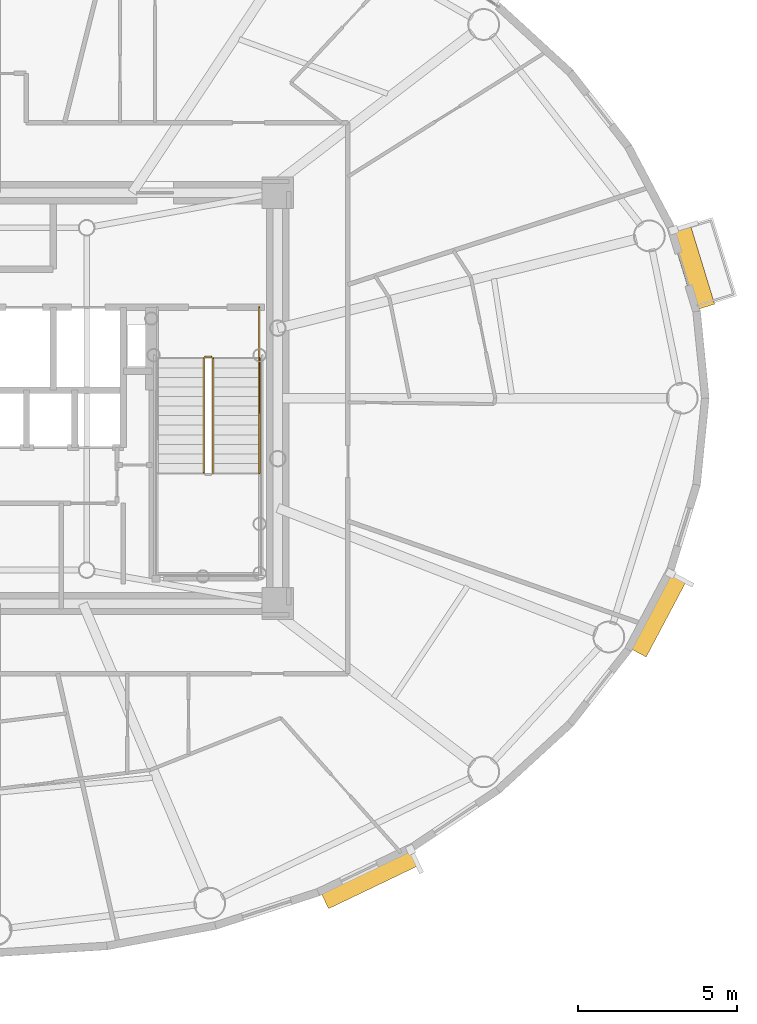
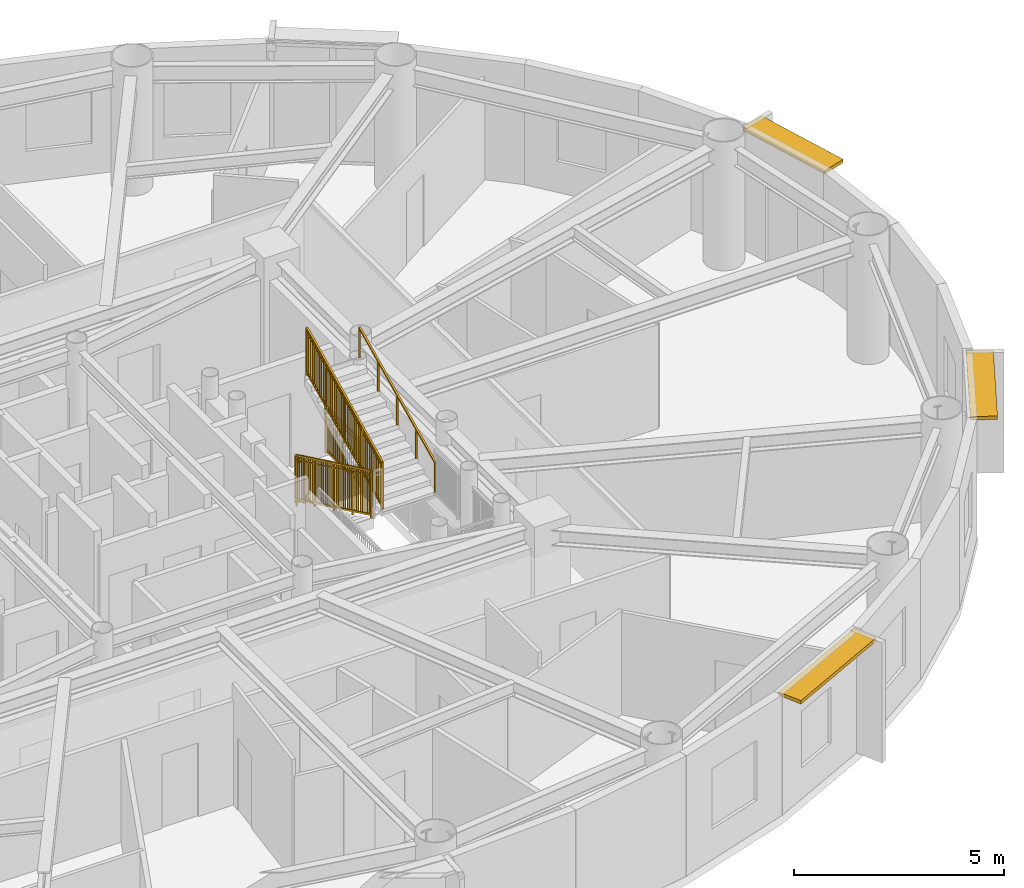
# One storey, part 16 of 17: 5 railings, 3 shading devices.
"""IFC4 building model written with IfcOpenShell, lengths in metres."""

from ifc_helpers import new_model, si_unit, direction, frame, origin, origin_2d, place, context, subcontext, project, spatial, rectangle, extrude, source, transform, mapped, material, layer, layer_set, type_object, element, save


model = new_model("IFC4")

# Units and contexts
model_context = context("Model", 3, precision=1e-05, world=origin(), true_north=direction((0.0, 1.0)))
body_context = subcontext(model_context, "Body", "Model", "MODEL_VIEW")
ifc_project = project(units=[si_unit("LENGTHUNIT", "METRE"), si_unit("AREAUNIT", "SQUARE_METRE"), si_unit("VOLUMEUNIT", "CUBIC_METRE"), si_unit("PLANEANGLEUNIT", "RADIAN"), si_unit("MASSUNIT", "GRAM", prefix="KILO")], contexts=[model_context])

# Site, building, storey
site_placement = place(None, origin())
site = spatial("IfcSite", under=ifc_project, at=site_placement, CompositionType="ELEMENT")
building_placement = place(site_placement, origin())
building = spatial("IfcBuilding", under=site, at=building_placement, Name="Linh Dai School and Residence Tower", CompositionType="ELEMENT")
storey_placement = place(building_placement, frame((0.0, 0.0, 303.0)))
storey = spatial("IfcBuildingStorey", under=building, at=storey_placement, Name="L75", CompositionType="ELEMENT", Elevation=303.0)

# Shading devices
ifc_material_1 = material(Name="Terracotta Ceramic Sunshade", Category="masonry")
ifc_layer = layer(ifc_material_1, 0.10009765625)
ifc_layer_set = layer_set([ifc_layer], Name="Terracotta Ceramic Sunshade")
shading_device_type = type_object("IfcShadingDeviceType", Name="SHD-TC-650", PredefinedType="USERDEFINED", material=ifc_layer_set)
shared_shape_1 = source(origin(), body_context, "Body", "SweptSolid", [
    extrude(rectangle(XDim=2.6640625, YDim=0.64990234375, at=origin_2d()), origin(), (0.0, 0.0, 1.0), 0.10009765625),
])
shading_device_1_placement = place(storey_placement, frame((57.867431640625, 31.129150390625, 3.3798828125), z_axis=(0.0, 0.0, 1.0), x_axis=(0.293140945944, -0.956069236934, 0.0)))
element("IfcShadingDevice", 1, at=shading_device_1_placement, inside=storey, type_object=shading_device_type, Name="L75 Terracotta Horizontal Sunshade Band 02", ObjectType="SUNSHADE", PredefinedType="USERDEFINED", context=body_context, shape_type="MappedRepresentation", body=[
    mapped(shared_shape_1, transform((0.0, 0.0, 0.0), x_axis=(1.0, 0.0, 0.0), y_axis=(0.0, 1.0, 0.0), z_axis=(0.0, 0.0, 1.0), scale=1.0)),
])
shared_shape_2 = source(origin(), body_context, "Body", "SweptSolid", [
    extrude(rectangle(XDim=3.1748046875, YDim=0.64990234375, at=origin_2d()), origin(), (0.0, 0.0, 1.0), 0.10009765625),
])
shading_device_2_placement = place(storey_placement, frame((47.737060546875, 11.9462890625, 3.3798828125), z_axis=(0.0, 0.0, 1.0), x_axis=(-0.901580240323, -0.432611916456, 0.0)))
element("IfcShadingDevice", 2, at=shading_device_2_placement, inside=storey, type_object=shading_device_type, Name="L75 Terracotta Horizontal Sunshade Band 34", ObjectType="SUNSHADE", PredefinedType="USERDEFINED", context=body_context, shape_type="MappedRepresentation", body=[
    mapped(shared_shape_2, transform((0.0, 0.0, 0.0), x_axis=(1.0, 0.0, 0.0), y_axis=(0.0, 1.0, 0.0), z_axis=(0.0, 0.0, 1.0), scale=1.0)),
])
shared_shape_3 = source(origin(), body_context, "Body", "SweptSolid", [
    extrude(rectangle(XDim=2.739501953125, YDim=0.64990234375, at=origin_2d()), origin(), (0.0, 0.0, 1.0), 0.10009765625),
])
shading_device_3_placement = place(storey_placement, frame((56.77294921875, 20.233154296875, 3.3798828125), z_axis=(0.0, 0.0, 1.0), x_axis=(-0.467603531201, -0.883938310975, 0.0)))
element("IfcShadingDevice", 3, at=shading_device_3_placement, inside=storey, type_object=shading_device_type, Name="L75 Terracotta Horizontal Sunshade Band 38", ObjectType="SUNSHADE", PredefinedType="USERDEFINED", context=body_context, shape_type="MappedRepresentation", body=[
    mapped(shared_shape_3, transform((0.0, 0.0, 0.0), x_axis=(1.0, 0.0, 0.0), y_axis=(0.0, 1.0, 0.0), z_axis=(0.0, 0.0, 1.0), scale=1.0)),
])

# Railings
ifc_material_2 = material(Name="Structural Steel S355JR", Category="steel")
railing_type_1 = type_object("IfcRailingType", Name="RL-ST-GUARD-1400", PredefinedType="GUARDRAIL", material=ifc_material_2)
shared_shape_4 = source(origin(), body_context, "Body", "SweptSolid", [
    extrude(rectangle(XDim=0.048095703125, YDim=0.048095703125, at=origin_2d()), frame((0.0, 0.0, 1.3759765625), z_axis=(0.0, 0.901262522062, 0.433273431364), x_axis=(-1.0, 0.0, 0.0)), (0.0, 0.0, 1.0), 3.994384765625),
    extrude(rectangle(XDim=0.048095703125, YDim=0.048095703125, at=origin_2d()), frame((0.0, 0.0, 0.10009765625), z_axis=(0.0, 0.901262522062, 0.433273431364), x_axis=(-1.0, 0.0, 0.0)), (0.0, 0.0, 1.0), 3.994384765625),
    extrude(rectangle(XDim=0.030029296875, YDim=0.030029296875, at=origin_2d()), frame((0.0, 0.0, 1.239990234375), z_axis=(0.0, 0.901262522062, 0.433273431364), x_axis=(-1.0, 0.0, 0.0)), (0.0, 0.0, 1.0), 3.994384765625),
    extrude(rectangle(XDim=0.02001953125, YDim=0.02001953125, at=origin_2d()), frame((0.0, 0.087890625, 0.142333984375)), (0.0, 0.0, 1.0), 1.251708984375),
    extrude(rectangle(XDim=0.02001953125, YDim=0.02001953125, at=origin_2d()), frame((0.0, 0.175537109375, 0.1845703125)), (0.0, 0.0, 1.0), 1.251708984375),
    extrude(rectangle(XDim=0.02001953125, YDim=0.02001953125, at=origin_2d()), frame((0.0, 0.263427734375, 0.226806640625)), (0.0, 0.0, 1.0), 1.251708984375),
    extrude(rectangle(XDim=0.02001953125, YDim=0.02001953125, at=origin_2d()), frame((0.0, 0.351318359375, 0.26904296875)), (0.0, 0.0, 1.0), 1.251708984375),
    extrude(rectangle(XDim=0.02001953125, YDim=0.02001953125, at=origin_2d()), frame((0.0, 0.43896484375, 0.311279296875)), (0.0, 0.0, 1.0), 1.251708984375),
    extrude(rectangle(XDim=0.02001953125, YDim=0.02001953125, at=origin_2d()), frame((0.0, 0.52685546875, 0.353271484375)), (0.0, 0.0, 1.0), 1.251708984375),
    extrude(rectangle(XDim=0.02001953125, YDim=0.02001953125, at=origin_2d()), frame((0.0, 0.61474609375, 0.3955078125)), (0.0, 0.0, 1.0), 1.251708984375),
    extrude(rectangle(XDim=0.02001953125, YDim=0.02001953125, at=origin_2d()), frame((0.0, 0.702392578125, 0.437744140625)), (0.0, 0.0, 1.0), 1.251708984375),
    extrude(rectangle(XDim=0.02001953125, YDim=0.02001953125, at=origin_2d()), frame((0.0, 0.790283203125, 0.47998046875)), (0.0, 0.0, 1.0), 1.251708984375),
    extrude(rectangle(XDim=0.02001953125, YDim=0.02001953125, at=origin_2d()), frame((0.0, 0.9658203125, 0.564453125)), (0.0, 0.0, 1.0), 1.251708984375),
    extrude(rectangle(XDim=0.02001953125, YDim=0.02001953125, at=origin_2d()), frame((0.0, 1.0537109375, 0.606689453125)), (0.0, 0.0, 1.0), 1.251708984375),
    extrude(rectangle(XDim=0.02001953125, YDim=0.02001953125, at=origin_2d()), frame((0.0, 1.1416015625, 0.64892578125)), (0.0, 0.0, 1.0), 1.251708984375),
    extrude(rectangle(XDim=0.02001953125, YDim=0.02001953125, at=origin_2d()), frame((0.0, 1.229248046875, 0.691162109375)), (0.0, 0.0, 1.0), 1.251708984375),
    extrude(rectangle(XDim=0.02001953125, YDim=0.02001953125, at=origin_2d()), frame((0.0, 1.317138671875, 0.7333984375)), (0.0, 0.0, 1.0), 1.251708984375),
    extrude(rectangle(XDim=0.02001953125, YDim=0.02001953125, at=origin_2d()), frame((0.0, 1.405029296875, 0.775390625)), (0.0, 0.0, 1.0), 1.251708984375),
    extrude(rectangle(XDim=0.02001953125, YDim=0.02001953125, at=origin_2d()), frame((0.0, 1.49267578125, 0.817626953125)), (0.0, 0.0, 1.0), 1.251708984375),
    extrude(rectangle(XDim=0.02001953125, YDim=0.02001953125, at=origin_2d()), frame((0.0, 1.58056640625, 0.85986328125)), (0.0, 0.0, 1.0), 1.251708984375),
    extrude(rectangle(XDim=0.02001953125, YDim=0.02001953125, at=origin_2d()), frame((0.0, 1.66845703125, 0.902099609375)), (0.0, 0.0, 1.0), 1.251708984375),
    extrude(rectangle(XDim=0.02001953125, YDim=0.02001953125, at=origin_2d()), frame((0.0, 1.756103515625, 0.9443359375)), (0.0, 0.0, 1.0), 1.251708984375),
    extrude(rectangle(XDim=0.02001953125, YDim=0.02001953125, at=origin_2d()), frame((0.0, 1.843994140625, 0.986572265625)), (0.0, 0.0, 1.0), 1.251708984375),
    extrude(rectangle(XDim=0.02001953125, YDim=0.02001953125, at=origin_2d()), frame((0.0, 1.931640625, 1.02880859375)), (0.0, 0.0, 1.0), 1.251708984375),
    extrude(rectangle(XDim=0.02001953125, YDim=0.02001953125, at=origin_2d()), frame((0.0, 2.01953125, 1.071044921875)), (0.0, 0.0, 1.0), 1.251708984375),
    extrude(rectangle(XDim=0.02001953125, YDim=0.02001953125, at=origin_2d()), frame((0.0, 2.107421875, 1.11328125)), (0.0, 0.0, 1.0), 1.251708984375),
    extrude(rectangle(XDim=0.02001953125, YDim=0.02001953125, at=origin_2d()), frame((0.0, 2.195068359375, 1.155517578125)), (0.0, 0.0, 1.0), 1.251708984375),
    extrude(rectangle(XDim=0.02001953125, YDim=0.02001953125, at=origin_2d()), frame((0.0, 2.282958984375, 1.197509765625)), (0.0, 0.0, 1.0), 1.251708984375),
    extrude(rectangle(XDim=0.02001953125, YDim=0.02001953125, at=origin_2d()), frame((0.0, 2.370849609375, 1.23974609375)), (0.0, 0.0, 1.0), 1.251708984375),
    extrude(rectangle(XDim=0.02001953125, YDim=0.02001953125, at=origin_2d()), frame((0.0, 2.45849609375, 1.281982421875)), (0.0, 0.0, 1.0), 1.251708984375),
    extrude(rectangle(XDim=0.02001953125, YDim=0.02001953125, at=origin_2d()), frame((0.0, 2.54638671875, 1.32421875)), (0.0, 0.0, 1.0), 1.251708984375),
    extrude(rectangle(XDim=0.02001953125, YDim=0.02001953125, at=origin_2d()), frame((0.0, 2.63427734375, 1.366455078125)), (0.0, 0.0, 1.0), 1.251708984375),
    extrude(rectangle(XDim=0.02001953125, YDim=0.02001953125, at=origin_2d()), frame((0.0, 2.809814453125, 1.450927734375)), (0.0, 0.0, 1.0), 1.251708984375),
    extrude(rectangle(XDim=0.02001953125, YDim=0.02001953125, at=origin_2d()), frame((0.0, 2.897705078125, 1.4931640625)), (0.0, 0.0, 1.0), 1.251708984375),
    extrude(rectangle(XDim=0.02001953125, YDim=0.02001953125, at=origin_2d()), frame((0.0, 2.9853515625, 1.535400390625)), (0.0, 0.0, 1.0), 1.251708984375),
    extrude(rectangle(XDim=0.02001953125, YDim=0.02001953125, at=origin_2d()), frame((0.0, 3.0732421875, 1.57763671875)), (0.0, 0.0, 1.0), 1.251708984375),
    extrude(rectangle(XDim=0.02001953125, YDim=0.02001953125, at=origin_2d()), frame((0.0, 3.1611328125, 1.61962890625)), (0.0, 0.0, 1.0), 1.251708984375),
    extrude(rectangle(XDim=0.02001953125, YDim=0.02001953125, at=origin_2d()), frame((0.0, 3.248779296875, 1.661865234375)), (0.0, 0.0, 1.0), 1.251708984375),
    extrude(rectangle(XDim=0.02001953125, YDim=0.02001953125, at=origin_2d()), frame((0.0, 3.336669921875, 1.7041015625)), (0.0, 0.0, 1.0), 1.251708984375),
    extrude(rectangle(XDim=0.02001953125, YDim=0.02001953125, at=origin_2d()), frame((0.0, 3.424560546875, 1.746337890625)), (0.0, 0.0, 1.0), 1.251708984375),
    extrude(rectangle(XDim=0.02001953125, YDim=0.02001953125, at=origin_2d()), frame((0.0, 3.51220703125, 1.78857421875)), (0.0, 0.0, 1.0), 1.251708984375),
    extrude(rectangle(XDim=0.0419921875, YDim=0.0419921875, at=origin_2d()), origin(), (0.0, 0.0, 1.0), 1.3759765625),
    extrude(rectangle(XDim=0.0419921875, YDim=0.0419921875, at=origin_2d()), frame((0.0, 0.89990234375, 0.4326171875)), (0.0, 0.0, 1.0), 1.3759765625),
    extrude(rectangle(XDim=0.0419921875, YDim=0.0419921875, at=origin_2d()), frame((0.0, 1.800048828125, 0.865234375)), (0.0, 0.0, 1.0), 1.3759765625),
    extrude(rectangle(XDim=0.0419921875, YDim=0.0419921875, at=origin_2d()), frame((0.0, 2.7001953125, 1.298095703125)), (0.0, 0.0, 1.0), 1.3759765625),
    extrude(rectangle(XDim=0.0419921875, YDim=0.0419921875, at=origin_2d()), frame((0.0, 3.60009765625, 1.730712890625)), (0.0, 0.0, 1.0), 1.3759765625),
])
railing_1_placement = place(storey_placement, frame((42.820068359375, 24.64990234375, 2.019287109375)))
element("IfcRailing", 4, at=railing_1_placement, inside=storey, type_object=railing_type_1, Name="L75 ST2 stair guard 6", PredefinedType="GUARDRAIL", context=body_context, shape_type="MappedRepresentation", body=[
    mapped(shared_shape_4, transform((0.0, 0.0, 0.0), x_axis=(1.0, 0.0, 0.0), y_axis=(0.0, 1.0, 0.0), z_axis=(0.0, 0.0, 1.0), scale=1.0)),
])
shared_shape_5 = source(origin(), body_context, "Body", "SweptSolid", [
    extrude(rectangle(XDim=0.048095703125, YDim=0.048095703125, at=origin_2d()), frame((0.0, 0.0, 1.3759765625), z_axis=(0.0, -0.901262522062, 0.433273431364), x_axis=(1.0, 0.0, 0.0)), (0.0, 0.0, 1.0), 3.994384765625),
    extrude(rectangle(XDim=0.048095703125, YDim=0.048095703125, at=origin_2d()), frame((0.0, 0.0, 0.10009765625), z_axis=(0.0, -0.901262522062, 0.433273431364), x_axis=(1.0, 0.0, 0.0)), (0.0, 0.0, 1.0), 3.994384765625),
    extrude(rectangle(XDim=0.030029296875, YDim=0.030029296875, at=origin_2d()), frame((0.0, 0.0, 1.239990234375), z_axis=(0.0, -0.901262522062, 0.433273431364), x_axis=(1.0, 0.0, 0.0)), (0.0, 0.0, 1.0), 3.994384765625),
    extrude(rectangle(XDim=0.02001953125, YDim=0.02001953125, at=origin_2d()), frame((0.0, -0.087890625, 0.142333984375)), (0.0, 0.0, 1.0), 1.251708984375),
    extrude(rectangle(XDim=0.02001953125, YDim=0.02001953125, at=origin_2d()), frame((0.0, -0.175537109375, 0.1845703125)), (0.0, 0.0, 1.0), 1.251708984375),
    extrude(rectangle(XDim=0.02001953125, YDim=0.02001953125, at=origin_2d()), frame((0.0, -0.263427734375, 0.226806640625)), (0.0, 0.0, 1.0), 1.251708984375),
    extrude(rectangle(XDim=0.02001953125, YDim=0.02001953125, at=origin_2d()), frame((0.0, -0.351318359375, 0.26904296875)), (0.0, 0.0, 1.0), 1.251708984375),
    extrude(rectangle(XDim=0.02001953125, YDim=0.02001953125, at=origin_2d()), frame((0.0, -0.43896484375, 0.311279296875)), (0.0, 0.0, 1.0), 1.251708984375),
    extrude(rectangle(XDim=0.02001953125, YDim=0.02001953125, at=origin_2d()), frame((0.0, -0.52685546875, 0.353271484375)), (0.0, 0.0, 1.0), 1.251708984375),
    extrude(rectangle(XDim=0.02001953125, YDim=0.02001953125, at=origin_2d()), frame((0.0, -0.61474609375, 0.3955078125)), (0.0, 0.0, 1.0), 1.251708984375),
    extrude(rectangle(XDim=0.02001953125, YDim=0.02001953125, at=origin_2d()), frame((0.0, -0.702392578125, 0.437744140625)), (0.0, 0.0, 1.0), 1.251708984375),
    extrude(rectangle(XDim=0.02001953125, YDim=0.02001953125, at=origin_2d()), frame((0.0, -0.790283203125, 0.47998046875)), (0.0, 0.0, 1.0), 1.251708984375),
    extrude(rectangle(XDim=0.02001953125, YDim=0.02001953125, at=origin_2d()), frame((0.0, -0.9658203125, 0.564453125)), (0.0, 0.0, 1.0), 1.251708984375),
    extrude(rectangle(XDim=0.02001953125, YDim=0.02001953125, at=origin_2d()), frame((0.0, -1.0537109375, 0.606689453125)), (0.0, 0.0, 1.0), 1.251708984375),
    extrude(rectangle(XDim=0.02001953125, YDim=0.02001953125, at=origin_2d()), frame((0.0, -1.1416015625, 0.64892578125)), (0.0, 0.0, 1.0), 1.251708984375),
    extrude(rectangle(XDim=0.02001953125, YDim=0.02001953125, at=origin_2d()), frame((0.0, -1.229248046875, 0.691162109375)), (0.0, 0.0, 1.0), 1.251708984375),
    extrude(rectangle(XDim=0.02001953125, YDim=0.02001953125, at=origin_2d()), frame((0.0, -1.317138671875, 0.7333984375)), (0.0, 0.0, 1.0), 1.251708984375),
    extrude(rectangle(XDim=0.02001953125, YDim=0.02001953125, at=origin_2d()), frame((0.0, -1.405029296875, 0.775390625)), (0.0, 0.0, 1.0), 1.251708984375),
    extrude(rectangle(XDim=0.02001953125, YDim=0.02001953125, at=origin_2d()), frame((0.0, -1.49267578125, 0.817626953125)), (0.0, 0.0, 1.0), 1.251708984375),
    extrude(rectangle(XDim=0.02001953125, YDim=0.02001953125, at=origin_2d()), frame((0.0, -1.58056640625, 0.85986328125)), (0.0, 0.0, 1.0), 1.251708984375),
    extrude(rectangle(XDim=0.02001953125, YDim=0.02001953125, at=origin_2d()), frame((0.0, -1.66845703125, 0.902099609375)), (0.0, 0.0, 1.0), 1.251708984375),
    extrude(rectangle(XDim=0.02001953125, YDim=0.02001953125, at=origin_2d()), frame((0.0, -1.756103515625, 0.9443359375)), (0.0, 0.0, 1.0), 1.251708984375),
    extrude(rectangle(XDim=0.02001953125, YDim=0.02001953125, at=origin_2d()), frame((0.0, -1.843994140625, 0.986572265625)), (0.0, 0.0, 1.0), 1.251708984375),
    extrude(rectangle(XDim=0.02001953125, YDim=0.02001953125, at=origin_2d()), frame((0.0, -1.931640625, 1.02880859375)), (0.0, 0.0, 1.0), 1.251708984375),
    extrude(rectangle(XDim=0.02001953125, YDim=0.02001953125, at=origin_2d()), frame((0.0, -2.01953125, 1.071044921875)), (0.0, 0.0, 1.0), 1.251708984375),
    extrude(rectangle(XDim=0.02001953125, YDim=0.02001953125, at=origin_2d()), frame((0.0, -2.107421875, 1.11328125)), (0.0, 0.0, 1.0), 1.251708984375),
    extrude(rectangle(XDim=0.02001953125, YDim=0.02001953125, at=origin_2d()), frame((0.0, -2.195068359375, 1.155517578125)), (0.0, 0.0, 1.0), 1.251708984375),
    extrude(rectangle(XDim=0.02001953125, YDim=0.02001953125, at=origin_2d()), frame((0.0, -2.282958984375, 1.197509765625)), (0.0, 0.0, 1.0), 1.251708984375),
    extrude(rectangle(XDim=0.02001953125, YDim=0.02001953125, at=origin_2d()), frame((0.0, -2.370849609375, 1.23974609375)), (0.0, 0.0, 1.0), 1.251708984375),
    extrude(rectangle(XDim=0.02001953125, YDim=0.02001953125, at=origin_2d()), frame((0.0, -2.45849609375, 1.281982421875)), (0.0, 0.0, 1.0), 1.251708984375),
    extrude(rectangle(XDim=0.02001953125, YDim=0.02001953125, at=origin_2d()), frame((0.0, -2.54638671875, 1.32421875)), (0.0, 0.0, 1.0), 1.251708984375),
    extrude(rectangle(XDim=0.02001953125, YDim=0.02001953125, at=origin_2d()), frame((0.0, -2.63427734375, 1.366455078125)), (0.0, 0.0, 1.0), 1.251708984375),
    extrude(rectangle(XDim=0.02001953125, YDim=0.02001953125, at=origin_2d()), frame((0.0, -2.809814453125, 1.450927734375)), (0.0, 0.0, 1.0), 1.251708984375),
    extrude(rectangle(XDim=0.02001953125, YDim=0.02001953125, at=origin_2d()), frame((0.0, -2.897705078125, 1.4931640625)), (0.0, 0.0, 1.0), 1.251708984375),
    extrude(rectangle(XDim=0.02001953125, YDim=0.02001953125, at=origin_2d()), frame((0.0, -2.9853515625, 1.535400390625)), (0.0, 0.0, 1.0), 1.251708984375),
    extrude(rectangle(XDim=0.02001953125, YDim=0.02001953125, at=origin_2d()), frame((0.0, -3.0732421875, 1.57763671875)), (0.0, 0.0, 1.0), 1.251708984375),
    extrude(rectangle(XDim=0.02001953125, YDim=0.02001953125, at=origin_2d()), frame((0.0, -3.1611328125, 1.61962890625)), (0.0, 0.0, 1.0), 1.251708984375),
    extrude(rectangle(XDim=0.02001953125, YDim=0.02001953125, at=origin_2d()), frame((0.0, -3.248779296875, 1.661865234375)), (0.0, 0.0, 1.0), 1.251708984375),
    extrude(rectangle(XDim=0.02001953125, YDim=0.02001953125, at=origin_2d()), frame((0.0, -3.336669921875, 1.7041015625)), (0.0, 0.0, 1.0), 1.251708984375),
    extrude(rectangle(XDim=0.02001953125, YDim=0.02001953125, at=origin_2d()), frame((0.0, -3.424560546875, 1.746337890625)), (0.0, 0.0, 1.0), 1.251708984375),
    extrude(rectangle(XDim=0.02001953125, YDim=0.02001953125, at=origin_2d()), frame((0.0, -3.51220703125, 1.78857421875)), (0.0, 0.0, 1.0), 1.251708984375),
    extrude(rectangle(XDim=0.0419921875, YDim=0.0419921875, at=origin_2d()), origin(), (0.0, 0.0, 1.0), 1.3759765625),
    extrude(rectangle(XDim=0.0419921875, YDim=0.0419921875, at=origin_2d()), frame((0.0, -0.89990234375, 0.4326171875)), (0.0, 0.0, 1.0), 1.3759765625),
    extrude(rectangle(XDim=0.0419921875, YDim=0.0419921875, at=origin_2d()), frame((0.0, -1.800048828125, 0.865234375)), (0.0, 0.0, 1.0), 1.3759765625),
    extrude(rectangle(XDim=0.0419921875, YDim=0.0419921875, at=origin_2d()), frame((0.0, -2.7001953125, 1.298095703125)), (0.0, 0.0, 1.0), 1.3759765625),
    extrude(rectangle(XDim=0.0419921875, YDim=0.0419921875, at=origin_2d()), frame((0.0, -3.60009765625, 1.730712890625)), (0.0, 0.0, 1.0), 1.3759765625),
])
railing_2_placement = place(storey_placement, frame((42.52001953125, 28.25, 0.144287109375)))
element("IfcRailing", 5, at=railing_2_placement, inside=storey, type_object=railing_type_1, Name="L75 ST2 stair guard 1", PredefinedType="GUARDRAIL", context=body_context, shape_type="MappedRepresentation", body=[
    mapped(shared_shape_5, transform((0.0, 0.0, 0.0), x_axis=(1.0, 0.0, 0.0), y_axis=(0.0, 1.0, 0.0), z_axis=(0.0, 0.0, 1.0), scale=1.0)),
])
ifc_material_3 = material(Name="Brushed Stainless Steel Handrail", Category="steel")
railing_type_2 = type_object("IfcRailingType", Name="RL-ST-HANDRAIL-900", PredefinedType="HANDRAIL", material=ifc_material_3)
shared_shape_6 = source(origin(), body_context, "Body", "SweptSolid", [
    extrude(rectangle(XDim=0.048095703125, YDim=0.048095703125, at=origin_2d()), frame((0.0, 0.0, 0.8759765625), z_axis=(0.0, 0.901262522062, 0.433273431364), x_axis=(-1.0, 0.0, 0.0)), (0.0, 0.0, 1.0), 3.994384765625),
    extrude(rectangle(XDim=0.0419921875, YDim=0.0419921875, at=origin_2d()), origin(), (0.0, 0.0, 1.0), 0.8759765625),
    extrude(rectangle(XDim=0.0419921875, YDim=0.0419921875, at=origin_2d()), frame((0.0, 0.89990234375, 0.4326171875)), (0.0, 0.0, 1.0), 0.8759765625),
    extrude(rectangle(XDim=0.0419921875, YDim=0.0419921875, at=origin_2d()), frame((0.0, 1.800048828125, 0.865234375)), (0.0, 0.0, 1.0), 0.8759765625),
    extrude(rectangle(XDim=0.0419921875, YDim=0.0419921875, at=origin_2d()), frame((0.0, 2.7001953125, 1.298095703125)), (0.0, 0.0, 1.0), 0.8759765625),
    extrude(rectangle(XDim=0.0419921875, YDim=0.0419921875, at=origin_2d()), frame((0.0, 3.60009765625, 1.730712890625)), (0.0, 0.0, 1.0), 0.8759765625),
])
railing_3_placement = place(storey_placement, frame((44.27001953125, 24.64990234375, 2.019287109375)))
element("IfcRailing", 6, at=railing_3_placement, inside=storey, type_object=railing_type_2, Name="L75 ST2 stair handrail 2", PredefinedType="HANDRAIL", context=body_context, shape_type="MappedRepresentation", body=[
    mapped(shared_shape_6, transform((0.0, 0.0, 0.0), x_axis=(1.0, 0.0, 0.0), y_axis=(0.0, 1.0, 0.0), z_axis=(0.0, 0.0, 1.0), scale=1.0)),
])
shared_shape_7 = source(origin(), body_context, "Body", "SweptSolid", [
    extrude(rectangle(XDim=0.048095703125, YDim=0.048095703125, at=origin_2d()), frame((0.0, 0.0, 1.3759765625), z_axis=(1.0, 0.0, 0.0), x_axis=(0.0, 1.0, 0.0)), (0.0, 0.0, 1.0), 0.199951171875),
    extrude(rectangle(XDim=0.048095703125, YDim=0.048095703125, at=origin_2d()), frame((0.0, 0.0, 0.10009765625), z_axis=(1.0, 0.0, 0.0), x_axis=(0.0, 1.0, 0.0)), (0.0, 0.0, 1.0), 0.199951171875),
    extrude(rectangle(XDim=0.030029296875, YDim=0.030029296875, at=origin_2d()), frame((0.0, 0.0, 1.239990234375), z_axis=(1.0, 0.0, 0.0), x_axis=(0.0, 1.0, 0.0)), (0.0, 0.0, 1.0), 0.199951171875),
    extrude(rectangle(XDim=0.0419921875, YDim=0.0419921875, at=origin_2d()), origin(), (0.0, 0.0, 1.0), 1.3759765625),
    extrude(rectangle(XDim=0.0419921875, YDim=0.0419921875, at=origin_2d()), frame((0.199951171875, 0.0, 0.0)), (0.0, 0.0, 1.0), 1.3759765625),
])
railing_4_placement = place(storey_placement, frame((42.570068359375, 28.300048828125, 0.0)))
element("IfcRailing", 7, at=railing_4_placement, inside=storey, type_object=railing_type_1, Name="L75 ST2 stair guard 7", PredefinedType="GUARDRAIL", context=body_context, shape_type="MappedRepresentation", body=[
    mapped(shared_shape_7, transform((0.0, 0.0, 0.0), x_axis=(1.0, 0.0, 0.0), y_axis=(0.0, 1.0, 0.0), z_axis=(0.0, 0.0, 1.0), scale=1.0)),
])
shared_shape_8 = source(origin(), body_context, "Body", "SweptSolid", [
    extrude(rectangle(XDim=0.048095703125, YDim=0.048095703125, at=origin_2d()), frame((0.0, 0.0, 1.3759765625), z_axis=(0.0, -1.0, 0.0), x_axis=(1.0, 0.0, 0.0)), (0.0, 0.0, 1.0), 1.60009765625),
    extrude(rectangle(XDim=0.048095703125, YDim=0.048095703125, at=origin_2d()), frame((0.0, 0.0, 0.10009765625), z_axis=(0.0, -1.0, 0.0), x_axis=(1.0, 0.0, 0.0)), (0.0, 0.0, 1.0), 1.60009765625),
    extrude(rectangle(XDim=0.030029296875, YDim=0.030029296875, at=origin_2d()), frame((0.0, 0.0, 1.239990234375), z_axis=(0.0, -1.0, 0.0), x_axis=(1.0, 0.0, 0.0)), (0.0, 0.0, 1.0), 1.60009765625),
    extrude(rectangle(XDim=0.02001953125, YDim=0.02001953125, at=origin_2d()), frame((0.0, -0.09423828125, 0.10009765625)), (0.0, 0.0, 1.0), 1.251708984375),
    extrude(rectangle(XDim=0.02001953125, YDim=0.02001953125, at=origin_2d()), frame((0.0, -0.188232421875, 0.10009765625)), (0.0, 0.0, 1.0), 1.251708984375),
    extrude(rectangle(XDim=0.02001953125, YDim=0.02001953125, at=origin_2d()), frame((0.0, -0.282470703125, 0.10009765625)), (0.0, 0.0, 1.0), 1.251708984375),
    extrude(rectangle(XDim=0.02001953125, YDim=0.02001953125, at=origin_2d()), frame((0.0, -0.37646484375, 0.10009765625)), (0.0, 0.0, 1.0), 1.251708984375),
    extrude(rectangle(XDim=0.02001953125, YDim=0.02001953125, at=origin_2d()), frame((0.0, -0.470703125, 0.10009765625)), (0.0, 0.0, 1.0), 1.251708984375),
    extrude(rectangle(XDim=0.02001953125, YDim=0.02001953125, at=origin_2d()), frame((0.0, -0.564697265625, 0.10009765625)), (0.0, 0.0, 1.0), 1.251708984375),
    extrude(rectangle(XDim=0.02001953125, YDim=0.02001953125, at=origin_2d()), frame((0.0, -0.658935546875, 0.10009765625)), (0.0, 0.0, 1.0), 1.251708984375),
    extrude(rectangle(XDim=0.02001953125, YDim=0.02001953125, at=origin_2d()), frame((0.0, -0.7529296875, 0.10009765625)), (0.0, 0.0, 1.0), 1.251708984375),
    extrude(rectangle(XDim=0.02001953125, YDim=0.02001953125, at=origin_2d()), frame((0.0, -0.84716796875, 0.10009765625)), (0.0, 0.0, 1.0), 1.251708984375),
    extrude(rectangle(XDim=0.02001953125, YDim=0.02001953125, at=origin_2d()), frame((0.0, -0.941162109375, 0.10009765625)), (0.0, 0.0, 1.0), 1.251708984375),
    extrude(rectangle(XDim=0.02001953125, YDim=0.02001953125, at=origin_2d()), frame((0.0, -1.035400390625, 0.10009765625)), (0.0, 0.0, 1.0), 1.251708984375),
    extrude(rectangle(XDim=0.02001953125, YDim=0.02001953125, at=origin_2d()), frame((0.0, -1.12939453125, 0.10009765625)), (0.0, 0.0, 1.0), 1.251708984375),
    extrude(rectangle(XDim=0.02001953125, YDim=0.02001953125, at=origin_2d()), frame((0.0, -1.2236328125, 0.10009765625)), (0.0, 0.0, 1.0), 1.251708984375),
    extrude(rectangle(XDim=0.02001953125, YDim=0.02001953125, at=origin_2d()), frame((0.0, -1.317626953125, 0.10009765625)), (0.0, 0.0, 1.0), 1.251708984375),
    extrude(rectangle(XDim=0.02001953125, YDim=0.02001953125, at=origin_2d()), frame((0.0, -1.411865234375, 0.10009765625)), (0.0, 0.0, 1.0), 1.251708984375),
    extrude(rectangle(XDim=0.02001953125, YDim=0.02001953125, at=origin_2d()), frame((0.0, -1.505859375, 0.10009765625)), (0.0, 0.0, 1.0), 1.251708984375),
    extrude(rectangle(XDim=0.0419921875, YDim=0.0419921875, at=origin_2d()), origin(), (0.0, 0.0, 1.0), 1.3759765625),
    extrude(rectangle(XDim=0.0419921875, YDim=0.0419921875, at=origin_2d()), frame((0.0, -0.800048828125, 0.0)), (0.0, 0.0, 1.0), 1.3759765625),
    extrude(rectangle(XDim=0.0419921875, YDim=0.0419921875, at=origin_2d()), frame((0.0, -1.60009765625, 0.0)), (0.0, 0.0, 1.0), 1.3759765625),
])
railing_5_placement = place(storey_placement, frame((44.27001953125, 29.85009765625, 0.0)))
element("IfcRailing", 8, at=railing_5_placement, inside=storey, type_object=railing_type_1, Name="L75 ST2 stair guard 9", PredefinedType="GUARDRAIL", context=body_context, shape_type="MappedRepresentation", body=[
    mapped(shared_shape_8, transform((0.0, 0.0, 0.0), x_axis=(1.0, 0.0, 0.0), y_axis=(0.0, 1.0, 0.0), z_axis=(0.0, 0.0, 1.0), scale=1.0)),
])

save(model, "model.ifc")
